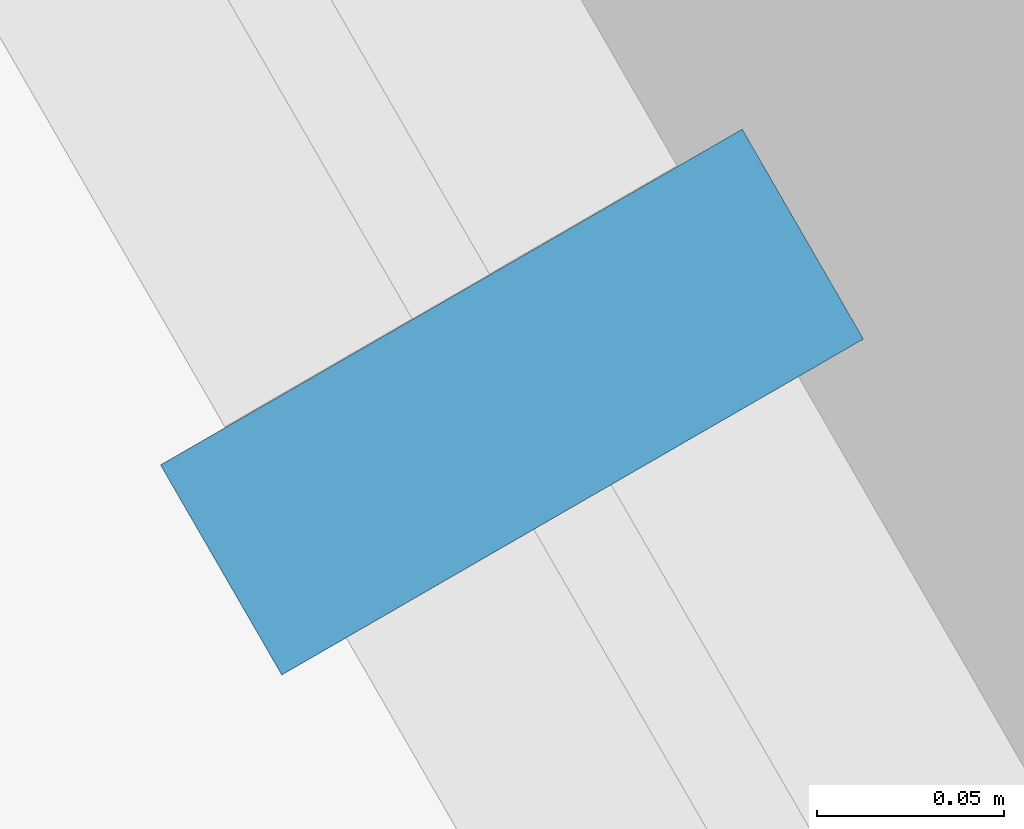
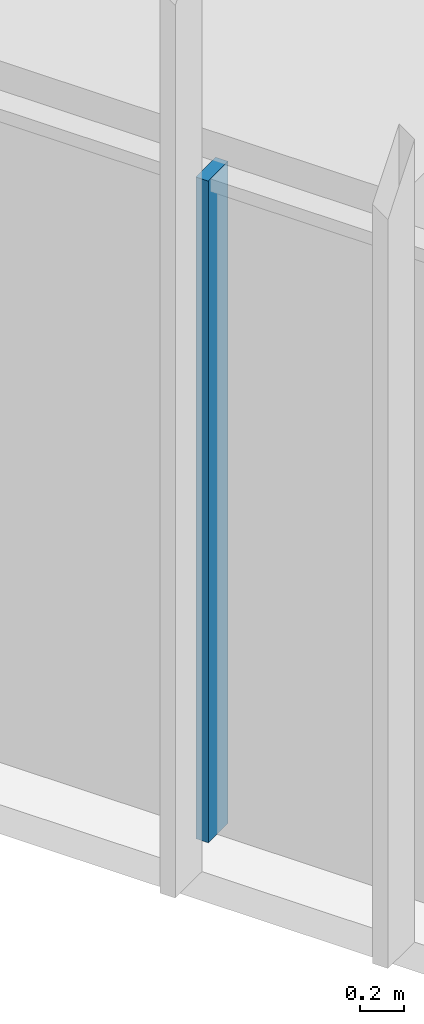
# One storey, part 12 of 256: 1 member, 1 element without a shape of its own.
"""IFC4 building model written with IfcOpenShell, lengths in metres."""

from ifc_helpers import new_model, si_unit, direction, frame, origin, origin_2d, place, context, subcontext, project, spatial, rectangle, extrude, material, material_profile, profile_set, type_object, element, aggregate, save


model = new_model("IFC4")

# Units and contexts
model_context = context("Model", 3, precision=1e-05, world=origin(), true_north=direction((0.0, 1.0)))
body_context = subcontext(model_context, "Body", "Model", "MODEL_VIEW")
ifc_project = project(units=[si_unit("LENGTHUNIT", "METRE"), si_unit("AREAUNIT", "SQUARE_METRE"), si_unit("VOLUMEUNIT", "CUBIC_METRE"), si_unit("PLANEANGLEUNIT", "RADIAN"), si_unit("MASSUNIT", "GRAM", prefix="KILO")], contexts=[model_context])

# Site, building, storey
site_placement = place(None, origin())
site = spatial("IfcSite", under=ifc_project, at=site_placement, CompositionType="ELEMENT")
building_placement = place(site_placement, origin())
building = spatial("IfcBuilding", under=site, at=building_placement, Name="Sandreach Pilgrim Tower", CompositionType="ELEMENT")
storey_placement = place(building_placement, frame((0.0, 0.0, 23.0)))
storey = spatial("IfcBuildingStorey", under=building, at=storey_placement, Name="L04", CompositionType="ELEMENT", Elevation=23.0)

# Curtain wall, member
ifc_material_1 = material(Name="Aluminium framed curtain wall", Category="aluminium")
curtain_wall_type = type_object("IfcCurtainWallType", Name="Hostel tower curtain wall", PredefinedType="NOTDEFINED", material=ifc_material_1)
curtain_wall_placement = place(storey_placement, origin())
curtain_wall = element("IfcCurtainWall", 1, at=curtain_wall_placement, inside=storey, type_object=curtain_wall_type, Name="CW-1 L04 SW", PredefinedType="NOTDEFINED")
ifc_material_2 = material(Name="Aluminium extrusion", Category="aluminium")
ifc_material_profile = material_profile(ifc_material_2, rectangle(XDim=0.06494140625, YDim=0.179931640625, at=origin_2d()), Name="CW-1M 65X180")
ifc_profile_set = profile_set([ifc_material_profile], Name="Aluminium extrusion")
member_type = type_object("IfcMemberType", Name="CW-1 mullion", PredefinedType="MULLION", material=ifc_profile_set)
member_placement = place(storey_placement, frame((-17.46142578125, -17.6533203125, 0.0), z_axis=(0.0, 0.0, 1.0), x_axis=(-0.5, 0.866025403784, 0.0)))
member = element("IfcMember", 2, at=member_placement, type_object=member_type, Name="CW-1 mullion 4", PredefinedType="MULLION", context=body_context, shape_type="SweptSolid", body=[
    extrude(rectangle(XDim=0.06494140625, YDim=0.179931640625, at=origin_2d()), origin(), (0.0, 0.0, 1.0), 3.639892578125),
])
aggregate(curtain_wall, [member])

save(model, "model.ifc")
